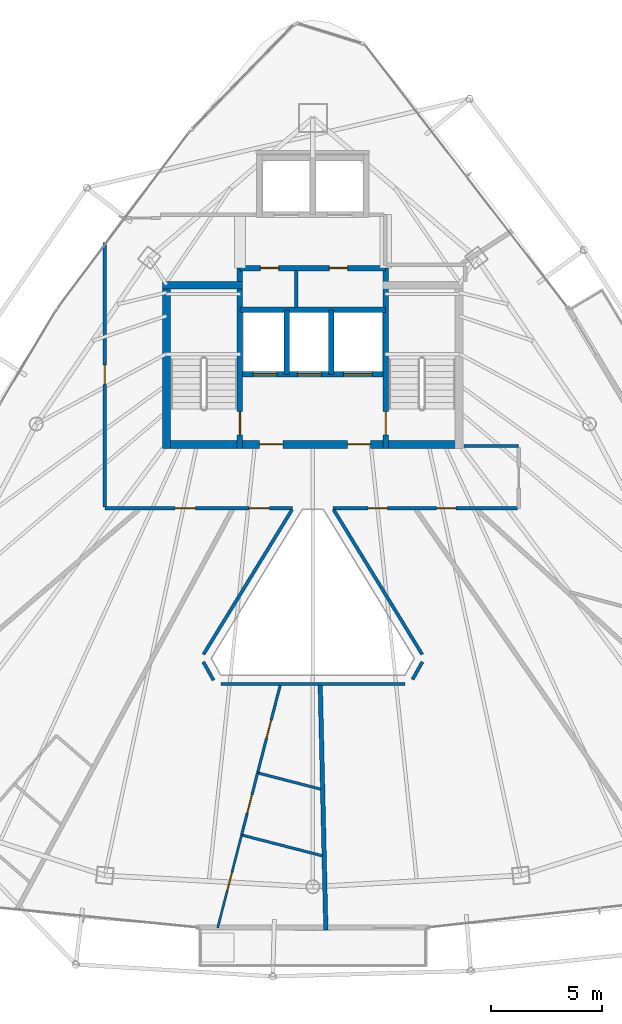
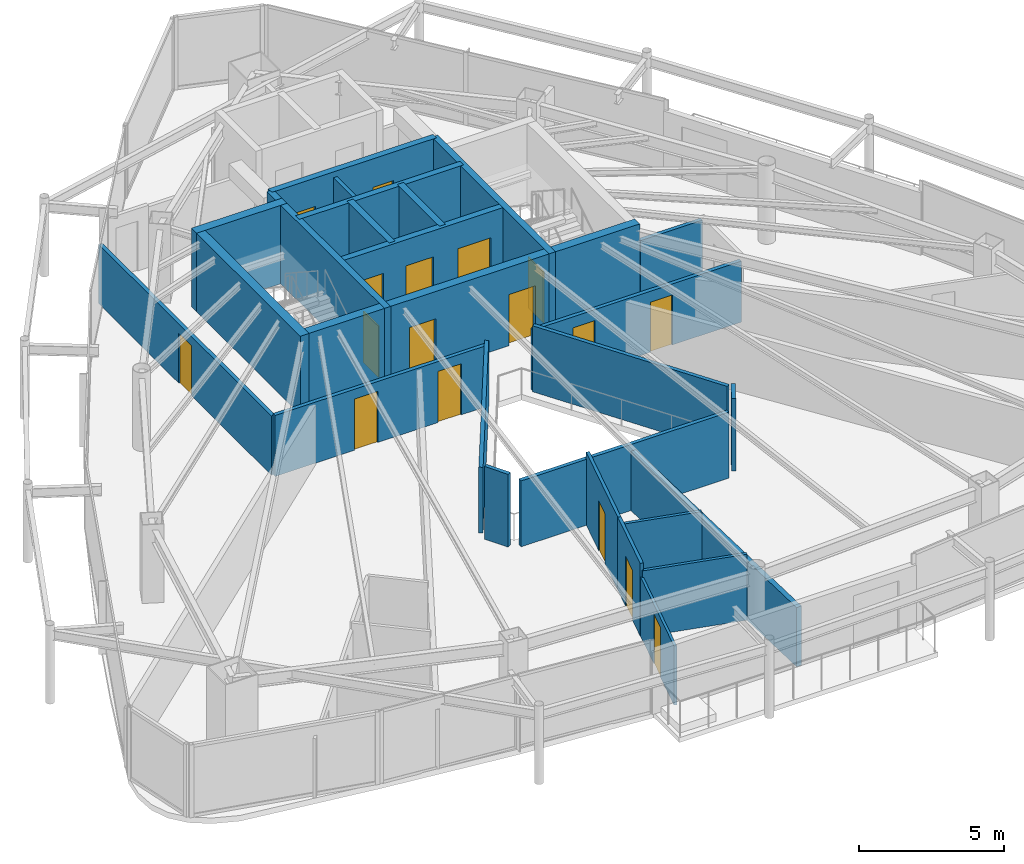
# One storey, part 26 of 30: 26 walls, 17 doors, 17 openings.
"""IFC4 building model written with IfcOpenShell, lengths in metres."""

import ifcopenshell
import ifcopenshell.guid

model = None  # the IFC model being written
_history = None  # IfcOwnerHistory: only IFC2X3 demands one
_inside = {}  # id of a spatial element -> (the spatial element, [elements in it])
_under = {}  # id of a project, library or spatial element -> (it, [spatial elements below it])
_declared = {}  # id of a project -> (the project, [libraries it declares])
_typed = {}  # id of a type object -> (the type object, [elements of that type])
_made_of = {}  # id of a material, layer set ... -> (it, [elements and type objects made of it])


def new_model(schema):
    """Start an empty IFC model of exactly this schema.

    Asked for "IFC4X3", IfcOpenShell would pick the latest addendum, in which some entities
    have other attributes; the version numbers below select the first issue.
    IFC2X3 requires an IfcOwnerHistory on every rooted entity: one is made here for all.
    """
    global model, _history
    if schema == "IFC4X3":
        model = ifcopenshell.file(schema_version=(4, 3, 0, 0))
    else:
        model = ifcopenshell.file(schema=schema)
    _inside.clear()
    _under.clear()
    _declared.clear()
    _typed.clear()
    _made_of.clear()
    _history = None
    if model.schema == "IFC2X3":
        org = make("IfcOrganization", Name="unknown")
        user = make(
            "IfcPersonAndOrganization",
            ThePerson=make("IfcPerson", FamilyName="unknown"),
            TheOrganization=org,
        )
        app = make(
            "IfcApplication",
            ApplicationDeveloper=org,
            Version="unknown",
            ApplicationFullName="unknown",
            ApplicationIdentifier="unknown",
        )
        _history = make(
            "IfcOwnerHistory",
            OwningUser=user,
            OwningApplication=app,
            ChangeAction="ADDED",
            CreationDate=0,
        )
    return model


def make(cls, **values):
    """One entity of the class cls with the attributes given. An attribute that is None is left unset."""
    return model.create_entity(
        cls, **{name: value for name, value in values.items() if value is not None}
    )


def rooted(cls, **values):
    """An entity with a GlobalId (a new one), such as an element, a storey or a relation."""
    return make(cls, GlobalId=ifcopenshell.guid.new(), OwnerHistory=_history, **values)


def si_unit(unit_type, name, prefix=None):
    """IfcSIUnit, for example si_unit("LENGTHUNIT", "METRE", prefix="MILLI")."""
    return make("IfcSIUnit", UnitType=unit_type, Prefix=prefix, Name=name)


def assignment(units):
    """IfcUnitAssignment: the units of a project."""
    return None if units is None else make("IfcUnitAssignment", Units=units)


def point(xyz):
    """IfcCartesianPoint."""
    return None if xyz is None else make("IfcCartesianPoint", Coordinates=xyz)


def direction(xyz):
    """IfcDirection."""
    return None if xyz is None else make("IfcDirection", DirectionRatios=xyz)


def frame(location, z_axis=None, x_axis=None):
    """IfcAxis2Placement3D, a coordinate frame: its origin and axes. An axis left out is left unset."""
    return make(
        "IfcAxis2Placement3D",
        Location=point(location),
        Axis=direction(z_axis),
        RefDirection=direction(x_axis),
    )


def frame_2d(location, x_axis=None):
    """IfcAxis2Placement2D, a coordinate frame in the plane: its origin and x axis."""
    return make(
        "IfcAxis2Placement2D", Location=point(location), RefDirection=direction(x_axis)
    )


def origin():
    """The frame at (0, 0, 0) with its axes left unset."""
    return frame((0.0, 0.0, 0.0))


def place(relative_to, where):
    """IfcLocalPlacement: puts the frame where relative to a parent placement (None: the world)."""
    return make(
        "IfcLocalPlacement", PlacementRelTo=relative_to, RelativePlacement=where
    )


def context(
    kind, dimensions, precision=None, world=None, true_north=None, identifier=None
):
    """IfcGeometricRepresentationContext, for example the 3D "Model" context."""
    return make(
        "IfcGeometricRepresentationContext",
        ContextIdentifier=identifier,
        ContextType=kind,
        CoordinateSpaceDimension=dimensions,
        Precision=precision,
        WorldCoordinateSystem=world,
        TrueNorth=true_north,
    )


def subcontext(parent, identifier, kind, view, scale=None):
    """IfcGeometricRepresentationSubContext, for example "Body" below "Model"."""
    return make(
        "IfcGeometricRepresentationSubContext",
        ContextIdentifier=identifier,
        ContextType=kind,
        ParentContext=parent,
        TargetScale=scale,
        TargetView=view,
    )


def project(units=None, contexts=None):
    """IfcProject with its units and contexts."""
    return rooted(
        "IfcProject",
        Name="project",
        RepresentationContexts=contexts,
        UnitsInContext=assignment(units),
    )


def spatial(cls, under=None, at=None, **own):
    """A site, building, storey or space (cls), placed at a placement, below another one or the project."""
    s = rooted(cls, ObjectPlacement=at, **own)
    if under is not None:
        _under.setdefault(under.id(), (under, []))[1].append(s)
    return s


def profile(cls, at=None, kind="AREA", **sizes):
    """A parametric profile (cls). Its sizes go by their IFC names, for example OverallWidth=200.0."""
    return make(cls, ProfileType=kind, Position=at, **sizes)


def rectangle(**sizes):
    """IfcRectangleProfileDef."""
    return profile("IfcRectangleProfileDef", **sizes)


def extrude(swept, where, along, depth):
    """IfcExtrudedAreaSolid: the profile swept, set in the frame where, extruded along a direction by depth."""
    return make(
        "IfcExtrudedAreaSolid",
        SweptArea=swept,
        Position=where,
        ExtrudedDirection=direction(along),
        Depth=depth,
    )


def shape(context_of_items, identifier, shape_type, items):
    """IfcShapeRepresentation: the items that make up one representation, for example the "Body"."""
    return make(
        "IfcShapeRepresentation",
        ContextOfItems=context_of_items,
        RepresentationIdentifier=identifier,
        RepresentationType=shape_type,
        Items=items,
    )


def material(Name=None, Category=None):
    """IfcMaterial."""
    return make("IfcMaterial", Name=Name, Category=Category)


def layer(
    of_material, thickness, ventilated=None, Name=None, Category=None, Priority=None
):
    """IfcMaterialLayer: one layer of a wall or slab, of a material (None: an air gap)."""
    return make(
        "IfcMaterialLayer",
        Material=of_material,
        LayerThickness=thickness,
        IsVentilated=ventilated,
        Name=Name,
        Category=Category,
        Priority=Priority,
    )


def layer_set(layers, Name=None):
    """IfcMaterialLayerSet."""
    return make("IfcMaterialLayerSet", MaterialLayers=layers, LayerSetName=Name)


def made_of(thing, what):
    """Note that an element or type object is made of a material, layer set ...; save() writes the relation."""
    if what is not None:
        _made_of.setdefault(what.id(), (what, []))[1].append(thing)
    return thing


def type_object(cls, material=None, **own):
    """A type object (cls), such as IfcWallType, which elements share."""
    return made_of(rooted(cls, **own), material)


def element(
    cls,
    number,
    at=None,
    inside=None,
    cuts=None,
    type_object=None,
    material=None,
    context=None,
    identifier="Body",
    shape_type=None,
    held_by="IfcProductDefinitionShape",
    body=None,
    shapes=None,
    **own,
):
    """One element of the class cls, such as IfcWall. Its Tag is "e" and its number.

    at: its placement. inside: the storey or other place that contains it. cuts: it is an
    opening in that element (IfcRelVoidsElement). A single representation is given by context,
    identifier, shape_type and body (its items); several are given by shapes. held_by: the class
    of the entity that holds the representations. save() writes the other relations.
    """
    e = rooted(cls, Tag="e%d" % number, ObjectPlacement=at, **own)
    if body is not None:
        shapes = [shape(context, identifier, shape_type, body)]
    if shapes is not None:
        e.Representation = make(held_by, Representations=shapes)
    if inside is not None:
        _inside.setdefault(inside.id(), (inside, []))[1].append(e)
    if cuts is not None:
        rooted(
            "IfcRelVoidsElement", RelatingBuildingElement=cuts, RelatedOpeningElement=e
        )
    if type_object is not None:
        _typed.setdefault(type_object.id(), (type_object, []))[1].append(e)
    return made_of(e, material)


def fill(opening, filler):
    """IfcRelFillsElement: the door or window that sits in an opening."""
    return rooted(
        "IfcRelFillsElement",
        RelatingOpeningElement=opening,
        RelatedBuildingElement=filler,
    )


def aggregate(whole, parts):
    """IfcRelAggregates: a whole, such as a stair, and the parts it consists of."""
    return rooted("IfcRelAggregates", RelatingObject=whole, RelatedObjects=parts)


def save(model, path):
    """Write the relations noted so far, then the file.

    IfcRelAggregates (storeys below a building ...), IfcRelContainedInSpatialStructure (elements
    in a storey), IfcRelDefinesByType, IfcRelAssociatesMaterial and IfcRelDeclares: one each for
    every whole, place, type object, material and project.
    """
    for whole, parts in _under.values():
        aggregate(whole, parts)
    for where, things in _inside.values():
        rooted(
            "IfcRelContainedInSpatialStructure",
            RelatedElements=things,
            RelatingStructure=where,
        )
    for kind, things in _typed.values():
        rooted("IfcRelDefinesByType", RelatedObjects=things, RelatingType=kind)
    for what, things in _made_of.values():
        rooted("IfcRelAssociatesMaterial", RelatedObjects=things, RelatingMaterial=what)
    for by, libraries in _declared.values():
        rooted("IfcRelDeclares", RelatingContext=by, RelatedDefinitions=libraries)
    model.write(path)


model = new_model("IFC4")

# Units and contexts
model_context = context("Model", 3, precision=1e-05, world=origin(), true_north=direction((0.0, 1.0)))
body_context = subcontext(model_context, "Body", "Model", "MODEL_VIEW")
ifc_project = project(units=[si_unit("LENGTHUNIT", "METRE"), si_unit("AREAUNIT", "SQUARE_METRE"), si_unit("VOLUMEUNIT", "CUBIC_METRE"), si_unit("PLANEANGLEUNIT", "RADIAN"), si_unit("MASSUNIT", "GRAM", prefix="KILO")], contexts=[model_context])

# Site, building, storey
site_placement = place(None, origin())
site = spatial("IfcSite", under=ifc_project, at=site_placement, CompositionType="ELEMENT")
building_placement = place(site_placement, origin())
building = spatial("IfcBuilding", under=site, at=building_placement, Name="Orvanel Arch Residences", CompositionType="ELEMENT")
storey_placement = place(building_placement, frame((0.0, 0.0, 229.39990234375)))
storey = spatial("IfcBuildingStorey", under=building, at=storey_placement, Name="L65", CompositionType="ELEMENT", Elevation=229.39990234375)

# Wall, opening, door
ifc_material_1 = material(Name="Concrete N50 (50 MPa)", Category="concrete")
ifc_layer_1 = layer(ifc_material_1, 0.25)
ifc_layer_set_1 = layer_set([ifc_layer_1], Name="Concrete N50 (50 MPa)")
wall_type_1 = type_object("IfcWallType", Name="SW-CORE-250", PredefinedType="SHEAR", material=ifc_layer_set_1)
wall_1_placement = place(storey_placement, frame((29.72509765625, 26.550048828125, 0.0), z_axis=(0.0, 0.0, 1.0), x_axis=(0.0, 1.0, 0.0)))
wall_1 = element("IfcWall", 1, at=wall_1_placement, inside=storey, type_object=wall_type_1, Name="L65 West Inner Core Spine Shear Wall", PredefinedType="SHEAR", context=body_context, shape_type="SweptSolid", body=[
    extrude(rectangle(XDim=8.099853515625, YDim=0.25, at=frame_2d((4.0498046875, 0.0))), origin(), (0.0, 0.0, 1.0), 3.300048828125),
])
opening_1_placement = place(wall_1_placement, frame((0.60009765625, 0.0, 0.0)))
opening_1 = element("IfcOpeningElement", 2, at=opening_1_placement, cuts=wall_1, Name="Opening DF-120", PredefinedType="OPENING", context=body_context, shape_type="SweptSolid", body=[
    extrude(rectangle(XDim=1.050048828125, YDim=2.14990234375, at=frame_2d((0.52490234375, 1.074951171875))), frame((0.0, 0.135009765625, 0.0), z_axis=(0.0, -1.0, 0.0), x_axis=(1.0, 0.0, 0.0)), (0.0, 0.0, 1.0), 0.27001953125),
])
ifc_material_2 = material(Name="Galvanised steel fire-resisting door assembly", Category="steel")
door_type_1 = type_object("IfcDoorType", Name="DR-FD120-1050", OperationType="NOTDEFINED", PredefinedType="DOOR", material=ifc_material_2)
door_1_placement = place(opening_1_placement, origin())
door_1 = element("IfcDoor", 3, at=door_1_placement, inside=storey, type_object=door_type_1, Name="DR-L65-ST1 L65 Stair 1 Fire Door", OperationType="SINGLE_SWING_LEFT", OverallHeight=2.14990234375, OverallWidth=1.050048828125, PredefinedType="DOOR", context=body_context, shape_type="SweptSolid", body=[
    extrude(rectangle(XDim=1.050048828125, YDim=2.14990234375, at=frame_2d((0.52490234375, 1.074951171875))), frame((0.0, 0.02490234375, 0.0), z_axis=(0.0, -1.0, 0.0), x_axis=(1.0, 0.0, 0.0)), (0.0, 0.0, 1.0), 0.050048828125),
])
fill(opening_1, door_1)

wall_2_placement = place(storey_placement, frame((36.27490234375, 26.550048828125, 0.0), z_axis=(0.0, 0.0, 1.0), x_axis=(0.0, 1.0, 0.0)))
wall_2 = element("IfcWall", 4, at=wall_2_placement, inside=storey, type_object=wall_type_1, Name="L65 East Inner Core Spine Shear Wall", PredefinedType="SHEAR", context=body_context, shape_type="SweptSolid", body=[
    extrude(rectangle(XDim=8.099853515625, YDim=0.25, at=frame_2d((4.0498046875, 0.0))), origin(), (0.0, 0.0, 1.0), 3.300048828125),
])
opening_2_placement = place(wall_2_placement, frame((0.60009765625, 0.0, 0.0)))
opening_2 = element("IfcOpeningElement", 5, at=opening_2_placement, cuts=wall_2, Name="Opening DF-120", PredefinedType="OPENING", context=body_context, shape_type="SweptSolid", body=[
    extrude(rectangle(XDim=1.050048828125, YDim=2.14990234375, at=frame_2d((0.52490234375, 1.074951171875))), frame((0.0, 0.135009765625, 0.0), z_axis=(0.0, -1.0, 0.0), x_axis=(1.0, 0.0, 0.0)), (0.0, 0.0, 1.0), 0.27001953125),
])
door_2_placement = place(opening_2_placement, origin())
door_2 = element("IfcDoor", 6, at=door_2_placement, inside=storey, type_object=door_type_1, Name="DR-L65-ST2 L65 Stair 2 Fire Door", OperationType="SINGLE_SWING_RIGHT", OverallHeight=2.14990234375, OverallWidth=1.050048828125, PredefinedType="DOOR", context=body_context, shape_type="SweptSolid", body=[
    extrude(rectangle(XDim=1.050048828125, YDim=2.14990234375, at=frame_2d((0.52490234375, 1.074951171875))), frame((0.0, 0.02490234375, 0.0), z_axis=(0.0, -1.0, 0.0), x_axis=(1.0, 0.0, 0.0)), (0.0, 0.0, 1.0), 0.050048828125),
])
fill(opening_2, door_2)

# Wall, openings, doors
wall_3_placement = place(storey_placement, frame((36.27490234375, 29.875, 0.0), z_axis=(0.0, 0.0, 1.0), x_axis=(-1.0, 0.0, 0.0)))
wall_3 = element("IfcWall", 7, at=wall_3_placement, inside=storey, type_object=wall_type_1, Name="L65 Emergency Lift Front Core Shear Wall", PredefinedType="SHEAR", context=body_context, shape_type="SweptSolid", body=[
    extrude(rectangle(XDim=6.5498046875, YDim=0.25, at=frame_2d((3.27490234375, 0.0))), origin(), (0.0, 0.0, 1.0), 3.300048828125),
])
opening_3_placement = place(wall_3_placement, frame((4.875, 0.0, 0.0)))
opening_3 = element("IfcOpeningElement", 8, at=opening_3_placement, cuts=wall_3, Name="Opening LD-110", PredefinedType="OPENING", context=body_context, shape_type="SweptSolid", body=[
    extrude(rectangle(XDim=1.10009765625, YDim=2.199951171875, at=frame_2d((0.550048828125, 1.10009765625))), frame((0.0, 0.135009765625, 0.0), z_axis=(0.0, -1.0, 0.0), x_axis=(1.0, 0.0, 0.0)), (0.0, 0.0, 1.0), 0.27001953125),
])
opening_4_placement = place(wall_3_placement, frame((2.875, 0.0, 0.0)))
opening_4 = element("IfcOpeningElement", 9, at=opening_4_placement, cuts=wall_3, Name="Opening LD-110", PredefinedType="OPENING", context=body_context, shape_type="SweptSolid", body=[
    extrude(rectangle(XDim=1.10009765625, YDim=2.199951171875, at=frame_2d((0.550048828125, 1.10009765625))), frame((0.0, 0.135009765625, 0.0), z_axis=(0.0, -1.0, 0.0), x_axis=(1.0, 0.0, 0.0)), (0.0, 0.0, 1.0), 0.27001953125),
])
opening_5_placement = place(wall_3_placement, frame((0.60009765625, 0.0, 0.0)))
opening_5 = element("IfcOpeningElement", 10, at=opening_5_placement, cuts=wall_3, Name="Opening LD-130", PredefinedType="OPENING", context=body_context, shape_type="SweptSolid", body=[
    extrude(rectangle(XDim=1.300048828125, YDim=2.199951171875, at=frame_2d((0.64990234375, 1.10009765625))), frame((0.0, 0.135009765625, 0.0), z_axis=(0.0, -1.0, 0.0), x_axis=(1.0, 0.0, 0.0)), (0.0, 0.0, 1.0), 0.27001953125),
])
door_type_2 = type_object("IfcDoorType", Name="DR-LFT-1100", OperationType="NOTDEFINED", PredefinedType="DOOR", material=ifc_material_2)
door_3_placement = place(opening_3_placement, origin())
door_3 = element("IfcDoor", 11, at=door_3_placement, inside=storey, type_object=door_type_2, Name="LD-F1-L65 L65 Lift F1 Sliding Landing Door", OperationType="DOUBLE_DOOR_SLIDING", OverallHeight=2.199951171875, OverallWidth=1.10009765625, PredefinedType="DOOR", context=body_context, shape_type="SweptSolid", body=[
    extrude(rectangle(XDim=1.10009765625, YDim=2.199951171875, at=frame_2d((0.550048828125, 1.10009765625))), frame((0.0, 0.02490234375, 0.0), z_axis=(0.0, -1.0, 0.0), x_axis=(1.0, 0.0, 0.0)), (0.0, 0.0, 1.0), 0.050048828125),
])
fill(opening_3, door_3)
door_4_placement = place(opening_4_placement, origin())
door_4 = element("IfcDoor", 12, at=door_4_placement, inside=storey, type_object=door_type_2, Name="LD-F2-L65 L65 Lift F2 Sliding Landing Door", OperationType="DOUBLE_DOOR_SLIDING", OverallHeight=2.199951171875, OverallWidth=1.10009765625, PredefinedType="DOOR", context=body_context, shape_type="SweptSolid", body=[
    extrude(rectangle(XDim=1.10009765625, YDim=2.199951171875, at=frame_2d((0.550048828125, 1.10009765625))), frame((0.0, 0.02490234375, 0.0), z_axis=(0.0, -1.0, 0.0), x_axis=(1.0, 0.0, 0.0)), (0.0, 0.0, 1.0), 0.050048828125),
])
fill(opening_4, door_4)
door_type_3 = type_object("IfcDoorType", Name="DR-LFT-1300", OperationType="NOTDEFINED", PredefinedType="DOOR", material=ifc_material_2)
door_5_placement = place(opening_5_placement, origin())
door_5 = element("IfcDoor", 13, at=door_5_placement, inside=storey, type_object=door_type_3, Name="LD-G1-L65 L65 Lift G1 Sliding Landing Door", OperationType="DOUBLE_DOOR_SLIDING", OverallHeight=2.199951171875, OverallWidth=1.300048828125, PredefinedType="DOOR", context=body_context, shape_type="SweptSolid", body=[
    extrude(rectangle(XDim=1.300048828125, YDim=2.199951171875, at=frame_2d((0.64990234375, 1.10009765625))), frame((0.0, 0.02490234375, 0.0), z_axis=(0.0, -1.0, 0.0), x_axis=(1.0, 0.0, 0.0)), (0.0, 0.0, 1.0), 0.050048828125),
])
fill(opening_5, door_5)

# Walls
wall_4_placement = place(storey_placement, frame((29.72509765625, 32.77490234375, 0.0), z_axis=(0.0, 0.0, 1.0), x_axis=(1.0, 0.0, 0.0)))
element("IfcWall", 14, at=wall_4_placement, inside=storey, type_object=wall_type_1, Name="L65 Emergency Lift Back Core Shear Wall", PredefinedType="SHEAR", context=body_context, shape_type="SweptSolid", body=[
    extrude(rectangle(XDim=6.5498046875, YDim=0.25, at=frame_2d((3.27490234375, 0.0))), origin(), (0.0, 0.0, 1.0), 3.300048828125),
])
for number, where, z_axis, x_axis, name in (
    (15, (31.824951171875, 29.875, 0.0), (0.0, 0.0, 1.0), (0.0, 1.0, 0.0), "L65 Emergency Lift Inter-Shaft Wall F12"),
    (16, (33.824951171875, 29.875, 0.0), (0.0, 0.0, 1.0), (0.0, 1.0, 0.0), "L65 Emergency Lift Inter-Shaft Wall F2G"),
):
    element("IfcWall", number, at=place(storey_placement, frame(where, z_axis=z_axis, x_axis=x_axis)), inside=storey, type_object=wall_type_1, Name=name, PredefinedType="SHEAR", context=body_context, shape_type="SweptSolid", body=[
        extrude(rectangle(XDim=2.89990234375, YDim=0.25, at=frame_2d((1.449951171875, 0.0))), origin(), (0.0, 0.0, 1.0), 3.300048828125),
    ])

# Wall, openings, doors
wall_5_placement = place(storey_placement, frame((29.72509765625, 34.64990234375, 0.0), z_axis=(0.0, 0.0, 1.0), x_axis=(1.0, 0.0, 0.0)))
wall_5 = element("IfcWall", 17, at=wall_5_placement, inside=storey, type_object=wall_type_1, Name="L65 Core Service Band North Shear Wall", PredefinedType="SHEAR", context=body_context, shape_type="SweptSolid", body=[
    extrude(rectangle(XDim=6.5498046875, YDim=0.25, at=frame_2d((3.27490234375, 0.0))), origin(), (0.0, 0.0, 1.0), 3.300048828125),
])
opening_6_placement = place(wall_5_placement, frame((0.9150390625, 0.0, 0.0)))
opening_6 = element("IfcOpeningElement", 18, at=opening_6_placement, cuts=wall_5, Name="Opening DS-082", PredefinedType="OPENING", context=body_context, shape_type="SweptSolid", body=[
    extrude(rectangle(XDim=0.820068359375, YDim=2.10009765625, at=frame_2d((0.41015625, 1.050048828125))), frame((0.0, 0.135009765625, 0.0), z_axis=(0.0, -1.0, 0.0), x_axis=(1.0, 0.0, 0.0)), (0.0, 0.0, 1.0), 0.27001953125),
])
opening_7_placement = place(wall_5_placement, frame((4.014892578125, 0.0, 0.0)))
opening_7 = element("IfcOpeningElement", 19, at=opening_7_placement, cuts=wall_5, Name="Opening DW-082", PredefinedType="OPENING", context=body_context, shape_type="SweptSolid", body=[
    extrude(rectangle(XDim=0.820068359375, YDim=2.10009765625, at=frame_2d((0.41015625, 1.050048828125))), frame((0.0, 0.135009765625, 0.0), z_axis=(0.0, -1.0, 0.0), x_axis=(1.0, 0.0, 0.0)), (0.0, 0.0, 1.0), 0.27001953125),
])
door_type_4 = type_object("IfcDoorType", Name="DR-SVC-820", OperationType="NOTDEFINED", PredefinedType="DOOR", material=ifc_material_2)
door_6_placement = place(opening_6_placement, origin())
door_6 = element("IfcDoor", 20, at=door_6_placement, inside=storey, type_object=door_type_4, Name="DR-L65-CSVC-1 L65 Floor Cleaner's Store Door", OperationType="SINGLE_SWING_LEFT", OverallHeight=2.10009765625, OverallWidth=0.820068359375, PredefinedType="DOOR", context=body_context, shape_type="SweptSolid", body=[
    extrude(rectangle(XDim=0.820068359375, YDim=2.10009765625, at=frame_2d((0.41015625, 1.050048828125))), frame((0.0, 0.02490234375, 0.0), z_axis=(0.0, -1.0, 0.0), x_axis=(1.0, 0.0, 0.0)), (0.0, 0.0, 1.0), 0.050048828125),
])
fill(opening_6, door_6)
ifc_material_3 = material(Name="Solid-core European oak veneer fire door leaf", Category="wood")
door_type_5 = type_object("IfcDoorType", Name="DR-WET-820", OperationType="NOTDEFINED", PredefinedType="DOOR", material=ifc_material_3)
door_7_placement = place(opening_7_placement, origin())
door_7 = element("IfcDoor", 21, at=door_7_placement, inside=storey, type_object=door_type_5, Name="DR-L65-CSVC-2 L65 Core Accessible WC Door", OperationType="SINGLE_SWING_LEFT", OverallHeight=2.10009765625, OverallWidth=0.820068359375, PredefinedType="DOOR", context=body_context, shape_type="SweptSolid", body=[
    extrude(rectangle(XDim=0.820068359375, YDim=2.10009765625, at=frame_2d((0.41015625, 1.050048828125))), frame((0.0, 0.02490234375, 0.0), z_axis=(0.0, -1.0, 0.0), x_axis=(1.0, 0.0, 0.0)), (0.0, 0.0, 1.0), 0.050048828125),
])
fill(opening_7, door_7)

ifc_layer_2 = layer(ifc_material_1, 0.35009765625)
ifc_layer_set_2 = layer_set([ifc_layer_2], Name="Concrete N50 (50 MPa)")
wall_type_2 = type_object("IfcWallType", Name="SW-CORE-350", PredefinedType="SHEAR", material=ifc_layer_set_2)
wall_6_placement = place(storey_placement, frame((26.25, 26.72509765625, 0.0), z_axis=(0.0, 0.0, 1.0), x_axis=(1.0, 0.0, 0.0)))
wall_6 = element("IfcWall", 22, at=wall_6_placement, inside=storey, type_object=wall_type_2, Name="L65 South Core Shear Wall", PredefinedType="SHEAR", context=body_context, shape_type="SweptSolid", body=[
    extrude(rectangle(XDim=13.5, YDim=0.35009765625, at=frame_2d((6.75, 0.0))), origin(), (0.0, 0.0, 1.0), 3.300048828125),
])
opening_8_placement = place(wall_6_placement, frame((4.35009765625, 0.0, 0.0)))
opening_8 = element("IfcOpeningElement", 23, at=opening_8_placement, cuts=wall_6, Name="Opening DF-060", PredefinedType="OPENING", context=body_context, shape_type="SweptSolid", body=[
    extrude(rectangle(XDim=1.050048828125, YDim=2.14990234375, at=frame_2d((0.52490234375, 1.074951171875))), frame((0.0, 0.18505859375, 0.0), z_axis=(0.0, -1.0, 0.0), x_axis=(1.0, 0.0, 0.0)), (0.0, 0.0, 1.0), 0.3701171875),
])
opening_9_placement = place(wall_6_placement, frame((8.300048828125, 0.0, 0.0)))
opening_9 = element("IfcOpeningElement", 24, at=opening_9_placement, cuts=wall_6, Name="Opening DF-060", PredefinedType="OPENING", context=body_context, shape_type="SweptSolid", body=[
    extrude(rectangle(XDim=1.050048828125, YDim=2.14990234375, at=frame_2d((0.52490234375, 1.074951171875))), frame((0.0, 0.18505859375, 0.0), z_axis=(0.0, -1.0, 0.0), x_axis=(1.0, 0.0, 0.0)), (0.0, 0.0, 1.0), 0.3701171875),
])
door_type_6 = type_object("IfcDoorType", Name="DR-FD60-1050", OperationType="NOTDEFINED", PredefinedType="DOOR", material=ifc_material_2)
door_8_placement = place(opening_8_placement, origin())
door_8 = element("IfcDoor", 25, at=door_8_placement, inside=storey, type_object=door_type_6, Name="DR-L65-FFL-W L65 West Smoke Lobby Door", OperationType="SINGLE_SWING_LEFT", OverallHeight=2.14990234375, OverallWidth=1.050048828125, PredefinedType="DOOR", context=body_context, shape_type="SweptSolid", body=[
    extrude(rectangle(XDim=1.050048828125, YDim=2.14990234375, at=frame_2d((0.52490234375, 1.074951171875))), frame((0.0, 0.02490234375, 0.0), z_axis=(0.0, -1.0, 0.0), x_axis=(1.0, 0.0, 0.0)), (0.0, 0.0, 1.0), 0.050048828125),
])
fill(opening_8, door_8)
door_9_placement = place(opening_9_placement, origin())
door_9 = element("IfcDoor", 26, at=door_9_placement, inside=storey, type_object=door_type_6, Name="DR-L65-FFL-E L65 East Smoke Lobby Door", OperationType="SINGLE_SWING_RIGHT", OverallHeight=2.14990234375, OverallWidth=1.050048828125, PredefinedType="DOOR", context=body_context, shape_type="SweptSolid", body=[
    extrude(rectangle(XDim=1.050048828125, YDim=2.14990234375, at=frame_2d((0.52490234375, 1.074951171875))), frame((0.0, 0.02490234375, 0.0), z_axis=(0.0, -1.0, 0.0), x_axis=(1.0, 0.0, 0.0)), (0.0, 0.0, 1.0), 0.050048828125),
])
fill(opening_9, door_9)

# Walls
wall_7_placement = place(storey_placement, frame((26.425048828125, 26.550048828125, 0.0), z_axis=(0.0, 0.0, 1.0), x_axis=(0.0, 1.0, 0.0)))
element("IfcWall", 27, at=wall_7_placement, inside=storey, type_object=wall_type_2, Name="L65 West Stair Shear Wall", PredefinedType="SHEAR", context=body_context, shape_type="SweptSolid", body=[
    extrude(rectangle(XDim=7.5, YDim=0.35009765625, at=frame_2d((3.75, 0.0))), origin(), (0.0, 0.0, 1.0), 3.300048828125),
])
wall_8_placement = place(storey_placement, frame((26.25, 33.875, 0.0), z_axis=(0.0, 0.0, 1.0), x_axis=(1.0, 0.0, 0.0)))
element("IfcWall", 28, at=wall_8_placement, inside=storey, type_object=wall_type_2, Name="L65 West Stair North Shear Wall", PredefinedType="SHEAR", context=body_context, shape_type="SweptSolid", body=[
    extrude(rectangle(XDim=3.60009765625, YDim=0.35009765625, at=frame_2d((1.800048828125, 0.0))), origin(), (0.0, 0.0, 1.0), 3.300048828125),
])

# Wall, openings, doors
ifc_material_4 = material(Name="Fire-rated plasterboard lined steel stud partition", Category="steel")
ifc_layer_3 = layer(ifc_material_4, 0.14990234375)
ifc_layer_set_3 = layer_set([ifc_layer_3], Name="Fire-rated plasterboard lined steel stud partition")
wall_type_3 = type_object("IfcWallType", Name="W-COR-150", PredefinedType="PARTITIONING", material=ifc_layer_set_3)
wall_9_placement = place(storey_placement, frame((32.095947265625, 23.85009765625, 0.0), z_axis=(0.0, 0.0, 1.0), x_axis=(-1.0, 0.0, 0.0)))
wall_9 = element("IfcWall", 29, at=wall_9_placement, inside=storey, type_object=wall_type_3, Name="L65 Corridor Fire-Rated Partition", PredefinedType="PARTITIONING", context=body_context, shape_type="SweptSolid", body=[
    extrude(rectangle(XDim=8.446044921875, YDim=0.14990234375, at=frame_2d((4.22314453125, 0.0))), origin(), (0.0, 0.0, 1.0), 2.565185546875),
])
opening_10_placement = place(wall_9_placement, frame((4.364990234375, 0.0, 0.0)))
opening_10 = element("IfcOpeningElement", 30, at=opening_10_placement, cuts=wall_9, Name="Opening DA-092", PredefinedType="OPENING", context=body_context, shape_type="SweptSolid", body=[
    extrude(rectangle(XDim=0.919921875, YDim=2.14990234375, at=frame_2d((0.4599609375, 1.074951171875))), frame((0.0, 0.0849609375, 0.0), z_axis=(0.0, -1.0, 0.0), x_axis=(1.0, 0.0, 0.0)), (0.0, 0.0, 1.0), 0.169921875),
])
opening_11_placement = place(wall_9_placement, frame((1.044921875, 0.0, 0.0)))
opening_11 = element("IfcOpeningElement", 31, at=opening_11_placement, cuts=wall_9, Name="Opening DA-092", PredefinedType="OPENING", context=body_context, shape_type="SweptSolid", body=[
    extrude(rectangle(XDim=0.919921875, YDim=2.14990234375, at=frame_2d((0.4599609375, 1.074951171875))), frame((0.0, 0.0849609375, 0.0), z_axis=(0.0, -1.0, 0.0), x_axis=(1.0, 0.0, 0.0)), (0.0, 0.0, 1.0), 0.169921875),
])
door_type_7 = type_object("IfcDoorType", Name="DR-APT-920", OperationType="NOTDEFINED", PredefinedType="DOOR", material=ifc_material_3)
door_10_placement = place(opening_10_placement, origin())
door_10 = element("IfcDoor", 32, at=door_10_placement, inside=storey, type_object=door_type_7, Name="DR-L65-B-ENT L65 Studio B Entrance Door", OperationType="SINGLE_SWING_LEFT", OverallHeight=2.14990234375, OverallWidth=0.919921875, PredefinedType="DOOR", context=body_context, shape_type="SweptSolid", body=[
    extrude(rectangle(XDim=0.919921875, YDim=2.14990234375, at=frame_2d((0.4599609375, 1.074951171875))), frame((0.0, 0.02490234375, 0.0), z_axis=(0.0, -1.0, 0.0), x_axis=(1.0, 0.0, 0.0)), (0.0, 0.0, 1.0), 0.050048828125),
])
fill(opening_10, door_10)
door_11_placement = place(opening_11_placement, origin())
door_11 = element("IfcDoor", 33, at=door_11_placement, inside=storey, type_object=door_type_7, Name="DR-L65-D-ENT L65 Studio D Entrance Door", OperationType="SINGLE_SWING_LEFT", OverallHeight=2.14990234375, OverallWidth=0.919921875, PredefinedType="DOOR", context=body_context, shape_type="SweptSolid", body=[
    extrude(rectangle(XDim=0.919921875, YDim=2.14990234375, at=frame_2d((0.4599609375, 1.074951171875))), frame((0.0, 0.02490234375, 0.0), z_axis=(0.0, -1.0, 0.0), x_axis=(1.0, 0.0, 0.0)), (0.0, 0.0, 1.0), 0.050048828125),
])
fill(opening_11, door_11)

# Wall, opening, door
wall_10_placement = place(storey_placement, frame((23.64990234375, 23.909912109375, 0.0), z_axis=(0.0, 0.0, 1.0), x_axis=(0.0, 1.0, 0.0)))
wall_10 = element("IfcWall", 34, at=wall_10_placement, inside=storey, type_object=wall_type_3, Name="L65 Corridor Fire-Rated Partition", PredefinedType="PARTITIONING", context=body_context, shape_type="SweptSolid", body=[
    extrude(rectangle(XDim=11.88818359375, YDim=0.14990234375, at=frame_2d((5.944091796875, 0.0))), origin(), (0.0, 0.0, 1.0), 2.4921875),
])
opening_12_placement = place(wall_10_placement, frame((5.50390625, 0.0, 0.0)))
opening_12 = element("IfcOpeningElement", 35, at=opening_12_placement, cuts=wall_10, Name="Opening DI-088", PredefinedType="OPENING", context=body_context, shape_type="SweptSolid", body=[
    extrude(rectangle(XDim=0.8798828125, YDim=2.10009765625, at=frame_2d((0.43994140625, 1.050048828125))), frame((0.0, 0.0849609375, 0.0), z_axis=(0.0, -1.0, 0.0), x_axis=(1.0, 0.0, 0.0)), (0.0, 0.0, 1.0), 0.169921875),
])
door_type_8 = type_object("IfcDoorType", Name="DR-INT-880", OperationType="NOTDEFINED", PredefinedType="DOOR", material=ifc_material_3)
door_12_placement = place(opening_12_placement, origin())
door_12 = element("IfcDoor", 36, at=door_12_placement, inside=storey, type_object=door_type_8, Name="DR-L65-SHRD-FB5 L65 Co-Working Study Office E Door", OperationType="SINGLE_SWING_LEFT", OverallHeight=2.10009765625, OverallWidth=0.8798828125, PredefinedType="DOOR", context=body_context, shape_type="SweptSolid", body=[
    extrude(rectangle(XDim=0.8798828125, YDim=2.10009765625, at=frame_2d((0.43994140625, 1.050048828125))), frame((0.0, 0.02490234375, 0.0), z_axis=(0.0, -1.0, 0.0), x_axis=(1.0, 0.0, 0.0)), (0.0, 0.0, 1.0), 0.050048828125),
])
fill(opening_12, door_12)

# Wall
wall_11_placement = place(storey_placement, frame((39.7900390625, 26.64990234375, 0.0), z_axis=(0.0, 0.0, 1.0), x_axis=(1.0, 0.0, 0.0)))
element("IfcWall", 37, at=wall_11_placement, inside=storey, type_object=wall_type_3, Name="L65 Corridor Fire-Rated Partition", PredefinedType="PARTITIONING", context=body_context, shape_type="SweptSolid", body=[
    extrude(rectangle(XDim=2.4599609375, YDim=0.14990234375, at=frame_2d((1.22998046875, 0.0))), origin(), (0.0, 0.0, 1.0), 2.565185546875),
])

# Wall, openings, doors
wall_12_placement = place(storey_placement, frame((42.18994140625, 23.85009765625, 0.0), z_axis=(0.0, 0.0, 1.0), x_axis=(-1.0, 0.0, 0.0)))
wall_12 = element("IfcWall", 38, at=wall_12_placement, inside=storey, type_object=wall_type_3, Name="L65 Corridor Fire-Rated Partition", PredefinedType="PARTITIONING", context=body_context, shape_type="SweptSolid", body=[
    extrude(rectangle(XDim=8.285888671875, YDim=0.14990234375, at=frame_2d((4.14306640625, 0.0))), origin(), (0.0, 0.0, 1.0), 2.565185546875),
])
opening_13_placement = place(wall_12_placement, frame((5.823974609375, 0.0, 0.0)))
opening_13 = element("IfcOpeningElement", 39, at=opening_13_placement, cuts=wall_12, Name="Opening DI-088", PredefinedType="OPENING", context=body_context, shape_type="SweptSolid", body=[
    extrude(rectangle(XDim=0.8798828125, YDim=2.10009765625, at=frame_2d((0.43994140625, 1.050048828125))), frame((0.0, 0.0849609375, 0.0), z_axis=(0.0, -1.0, 0.0), x_axis=(1.0, 0.0, 0.0)), (0.0, 0.0, 1.0), 0.169921875),
])
opening_14_placement = place(wall_12_placement, frame((2.7451171875, 0.0, 0.0)))
opening_14 = element("IfcOpeningElement", 40, at=opening_14_placement, cuts=wall_12, Name="Opening DI-088", PredefinedType="OPENING", context=body_context, shape_type="SweptSolid", body=[
    extrude(rectangle(XDim=0.8798828125, YDim=2.10009765625, at=frame_2d((0.43994140625, 1.050048828125))), frame((0.0, 0.0849609375, 0.0), z_axis=(0.0, -1.0, 0.0), x_axis=(1.0, 0.0, 0.0)), (0.0, 0.0, 1.0), 0.169921875),
])
door_13_placement = place(opening_13_placement, origin())
door_13 = element("IfcDoor", 41, at=door_13_placement, inside=storey, type_object=door_type_8, Name="DR-L65-SHRD-FB1 L65 Co-Working Study Office A Door", OperationType="SINGLE_SWING_LEFT", OverallHeight=2.10009765625, OverallWidth=0.8798828125, PredefinedType="DOOR", context=body_context, shape_type="SweptSolid", body=[
    extrude(rectangle(XDim=0.8798828125, YDim=2.10009765625, at=frame_2d((0.43994140625, 1.050048828125))), frame((0.0, 0.02490234375, 0.0), z_axis=(0.0, -1.0, 0.0), x_axis=(1.0, 0.0, 0.0)), (0.0, 0.0, 1.0), 0.050048828125),
])
fill(opening_13, door_13)
door_14_placement = place(opening_14_placement, origin())
door_14 = element("IfcDoor", 42, at=door_14_placement, inside=storey, type_object=door_type_8, Name="DR-L65-SHRD-FB6 L65 Co-Working Study Office F Door", OperationType="SINGLE_SWING_LEFT", OverallHeight=2.10009765625, OverallWidth=0.8798828125, PredefinedType="DOOR", context=body_context, shape_type="SweptSolid", body=[
    extrude(rectangle(XDim=0.8798828125, YDim=2.10009765625, at=frame_2d((0.43994140625, 1.050048828125))), frame((0.0, 0.02490234375, 0.0), z_axis=(0.0, -1.0, 0.0), x_axis=(1.0, 0.0, 0.0)), (0.0, 0.0, 1.0), 0.050048828125),
])
fill(opening_14, door_14)

# Walls
wall_13_placement = place(storey_placement, frame((33.93505859375, 23.7900390625, 0.0), z_axis=(0.0, 0.0, 1.0), x_axis=(0.521984684225, -0.852954857794, 0.0)))
element("IfcWall", 43, at=wall_13_placement, inside=storey, type_object=wall_type_3, Name="L65 Atrium Overlook Glazed Partition", PredefinedType="PARTITIONING", context=body_context, shape_type="SweptSolid", body=[
    extrude(rectangle(XDim=7.62646484375, YDim=0.14990234375, at=frame_2d((3.813232421875, 0.0))), origin(), (0.0, 0.0, 1.0), 2.773193359375),
])
wall_14_placement = place(storey_placement, frame((37.922119140625, 16.948974609375, 0.0), z_axis=(0.0, 0.0, 1.0), x_axis=(-0.48754316559, -0.873098884255, 0.0)))
element("IfcWall", 44, at=wall_14_placement, inside=storey, type_object=wall_type_3, Name="L65 Atrium Overlook Glazed Partition", PredefinedType="PARTITIONING", context=body_context, shape_type="SweptSolid", body=[
    extrude(rectangle(XDim=0.90478515625, YDim=0.14990234375, at=frame_2d((0.452392578125, 0.0))), origin(), (0.0, 0.0, 1.0), 3.06005859375),
])
wall_15_placement = place(storey_placement, frame((37.132080078125, 15.955078125, 0.0), z_axis=(0.0, 0.0, 1.0), x_axis=(-1.0, 0.0, 0.0)))
element("IfcWall", 45, at=wall_15_placement, inside=storey, type_object=wall_type_3, Name="L65 Atrium Overlook Glazed Partition", PredefinedType="PARTITIONING", context=body_context, shape_type="SweptSolid", body=[
    extrude(rectangle(XDim=8.26416015625, YDim=0.14990234375, at=frame_2d((4.132080078125, 0.0))), origin(), (0.0, 0.0, 1.0), 2.773193359375),
])
wall_16_placement = place(storey_placement, frame((28.5390625, 16.1259765625, 0.0), z_axis=(0.0, 0.0, 1.0), x_axis=(-0.488847636641, 0.87236918111, 0.0)))
element("IfcWall", 46, at=wall_16_placement, inside=storey, type_object=wall_type_3, Name="L65 Atrium Overlook Glazed Partition", PredefinedType="PARTITIONING", context=body_context, shape_type="SweptSolid", body=[
    extrude(rectangle(XDim=0.943359375, YDim=0.14990234375, at=frame_2d((0.4716796875, 0.0))), origin(), (0.0, 0.0, 1.0), 3.06005859375),
])
wall_17_placement = place(storey_placement, frame((28.083984375, 17.284912109375, 0.0), z_axis=(0.0, 0.0, 1.0), x_axis=(0.521984684225, 0.852954857794, 0.0)))
element("IfcWall", 47, at=wall_17_placement, inside=storey, type_object=wall_type_3, Name="L65 Atrium Overlook Glazed Partition", PredefinedType="PARTITIONING", context=body_context, shape_type="SweptSolid", body=[
    extrude(rectangle(XDim=7.62646484375, YDim=0.14990234375, at=frame_2d((3.813232421875, 0.0))), origin(), (0.0, 0.0, 1.0), 2.773193359375),
])
ifc_layer_4 = layer(ifc_material_4, 0.199951171875)
ifc_layer_set_4 = layer_set([ifc_layer_4], Name="Fire-rated plasterboard lined steel stud partition")
wall_type_4 = type_object("IfcWallType", Name="W-DEM-200", PredefinedType="PARTITIONING", material=ifc_layer_set_4)
wall_18_placement = place(storey_placement, frame((33.5849609375, 4.89892578125, 0.0), z_axis=(0.0, 0.0, 1.0), x_axis=(-0.022818213595, 0.999739630668, 0.0)))
element("IfcWall", 48, at=wall_18_placement, inside=storey, type_object=wall_type_4, Name="L65 Inter-Tenancy Acoustic Demising Wall", PredefinedType="PARTITIONING", context=body_context, shape_type="SweptSolid", body=[
    extrude(rectangle(XDim=10.9990234375, YDim=0.199951171875, at=frame_2d((5.49951171875, 0.0))), origin(), (0.0, 0.0, 1.0), 2.4921875),
])

# Wall, opening, door
ifc_material_5 = material(Name="Acoustic plasterboard lined twin-stud partition", Category="gypsum")
ifc_layer_5 = layer(ifc_material_5, 0.10009765625)
ifc_layer_set_5 = layer_set([ifc_layer_5], Name="Acoustic plasterboard lined twin-stud partition")
wall_type_5 = type_object("IfcWallType", Name="W-INT-100", PredefinedType="PARTITIONING", material=ifc_layer_set_5)
wall_19_placement = place(storey_placement, frame((29.799072265625, 9.1708984375, 0.0), z_axis=(0.0, 0.0, 1.0), x_axis=(-0.249680784234, -0.968328201585, 0.0)))
wall_19 = element("IfcWall", 49, at=wall_19_placement, inside=storey, type_object=wall_type_5, Name="L65 Studio D Internal Partition", PredefinedType="PARTITIONING", context=body_context, shape_type="SweptSolid", body=[
    extrude(rectangle(XDim=4.305419921875, YDim=0.10009765625, at=frame_2d((2.15283203125, 0.0))), origin(), (0.0, 0.0, 1.0), 2.4921875),
])
opening_15_placement = place(wall_19_placement, frame((1.712890625, 0.0, 0.0)))
opening_15 = element("IfcOpeningElement", 50, at=opening_15_placement, cuts=wall_19, Name="Opening DI-088", PredefinedType="OPENING", context=body_context, shape_type="SweptSolid", body=[
    extrude(rectangle(XDim=0.8798828125, YDim=2.10009765625, at=frame_2d((0.43994140625, 1.050048828125))), frame((0.0, 0.06005859375, 0.0), z_axis=(0.0, -1.0, 0.0), x_axis=(1.0, 0.0, 0.0)), (0.0, 0.0, 1.0), 0.1201171875),
])
door_15_placement = place(opening_15_placement, origin())
door_15 = element("IfcDoor", 51, at=door_15_placement, inside=storey, type_object=door_type_8, Name="DR-L65-D-OFC1 L65 Studio D Home Work Office 2 Door", OperationType="SINGLE_SWING_LEFT", OverallHeight=2.10009765625, OverallWidth=0.8798828125, PredefinedType="DOOR", context=body_context, shape_type="SweptSolid", body=[
    extrude(rectangle(XDim=0.8798828125, YDim=2.10009765625, at=frame_2d((0.43994140625, 1.050048828125))), frame((0.0, 0.02490234375, 0.0), z_axis=(0.0, -1.0, 0.0), x_axis=(1.0, 0.0, 0.0)), (0.0, 0.0, 1.0), 0.050048828125),
])
fill(opening_15, door_15)

# Wall
ifc_layer_6 = layer(ifc_material_4, 0.14990234375)
ifc_layer_set_6 = layer_set([ifc_layer_6], Name="Fire-rated plasterboard lined steel stud partition")
wall_type_6 = type_object("IfcWallType", Name="W-ST-150", PredefinedType="PARTITIONING", material=ifc_layer_set_6)
wall_20_placement = place(storey_placement, frame((32.25, 32.885009765625, 0.0), z_axis=(0.0, 0.0, 1.0), x_axis=(0.0, 1.0, 0.0)))
element("IfcWall", 52, at=wall_20_placement, inside=storey, type_object=wall_type_6, Name="L65 Core Service Partition 1", PredefinedType="PARTITIONING", context=body_context, shape_type="SweptSolid", body=[
    extrude(rectangle(XDim=1.655029296875, YDim=0.14990234375, at=frame_2d((0.82763671875, 0.0))), origin(), (0.0, 0.0, 1.0), 3.06005859375),
])

# Wall, opening, door
ifc_layer_7 = layer(ifc_material_5, 0.1201171875)
ifc_layer_set_7 = layer_set([ifc_layer_7], Name="Acoustic plasterboard lined twin-stud partition")
wall_type_7 = type_object("IfcWallType", Name="W-WET-120", PredefinedType="PARTITIONING", material=ifc_layer_set_7)
wall_21_placement = place(storey_placement, frame((31.531982421875, 15.89501953125, 0.0), z_axis=(0.0, 0.0, 1.0), x_axis=(-0.24968708983, -0.968326575682, 0.0)))
wall_21 = element("IfcWall", 53, at=wall_21_placement, inside=storey, type_object=wall_type_7, Name="L65 Studio D Bathroom Partition", PredefinedType="PARTITIONING", context=body_context, shape_type="SweptSolid", body=[
    extrude(rectangle(XDim=4.060791015625, YDim=0.1201171875, at=frame_2d((2.0302734375, 0.0))), origin(), (0.0, 0.0, 1.0), 3.06005859375),
])
opening_16_placement = place(wall_21_placement, frame((1.6201171875, 0.0, 0.0)))
opening_16 = element("IfcOpeningElement", 54, at=opening_16_placement, cuts=wall_21, Name="Opening DW-082", PredefinedType="OPENING", context=body_context, shape_type="SweptSolid", body=[
    extrude(rectangle(XDim=0.820068359375, YDim=2.10009765625, at=frame_2d((0.41015625, 1.050048828125))), frame((0.0, 0.070068359375, 0.0), z_axis=(0.0, -1.0, 0.0), x_axis=(1.0, 0.0, 0.0)), (0.0, 0.0, 1.0), 0.14013671875),
])
door_16_placement = place(opening_16_placement, origin())
door_16 = element("IfcDoor", 55, at=door_16_placement, inside=storey, type_object=door_type_5, Name="DR-L65-D-BATH L65 Studio D Bathroom Door", OperationType="SINGLE_SWING_RIGHT", OverallHeight=2.10009765625, OverallWidth=0.820068359375, PredefinedType="DOOR", context=body_context, shape_type="SweptSolid", body=[
    extrude(rectangle(XDim=0.820068359375, YDim=2.10009765625, at=frame_2d((0.41015625, 1.050048828125))), frame((0.0, 0.02490234375, 0.0), z_axis=(0.0, -1.0, 0.0), x_axis=(1.0, 0.0, 0.0)), (0.0, 0.0, 1.0), 0.050048828125),
])
fill(opening_16, door_16)

wall_22_placement = place(storey_placement, frame((30.51806640625, 11.962890625, 0.0), z_axis=(0.0, 0.0, 1.0), x_axis=(-0.249383700926, -0.968404755106, 0.0)))
wall_22 = element("IfcWall", 56, at=wall_22_placement, inside=storey, type_object=wall_type_7, Name="L65 Studio D Internal Partition", PredefinedType="PARTITIONING", context=body_context, shape_type="SweptSolid", body=[
    extrude(rectangle(XDim=2.883056640625, YDim=0.1201171875, at=frame_2d((1.44140625, 0.0))), origin(), (0.0, 0.0, 1.0), 3.06005859375),
])
opening_17_placement = place(wall_22_placement, frame((1.001953125, 0.0, 0.0)))
opening_17 = element("IfcOpeningElement", 57, at=opening_17_placement, cuts=wall_22, Name="Opening DI-088", PredefinedType="OPENING", context=body_context, shape_type="SweptSolid", body=[
    extrude(rectangle(XDim=0.8798828125, YDim=2.10009765625, at=frame_2d((0.43994140625, 1.050048828125))), frame((0.0, 0.070068359375, 0.0), z_axis=(0.0, -1.0, 0.0), x_axis=(1.0, 0.0, 0.0)), (0.0, 0.0, 1.0), 0.14013671875),
])
door_17_placement = place(opening_17_placement, origin())
door_17 = element("IfcDoor", 58, at=door_17_placement, inside=storey, type_object=door_type_8, Name="DR-L65-D-KIT L65 Studio D Kitchenette Door", OperationType="SINGLE_SWING_LEFT", OverallHeight=2.10009765625, OverallWidth=0.8798828125, PredefinedType="DOOR", context=body_context, shape_type="SweptSolid", body=[
    extrude(rectangle(XDim=0.8798828125, YDim=2.10009765625, at=frame_2d((0.43994140625, 1.050048828125))), frame((0.0, 0.02490234375, 0.0), z_axis=(0.0, -1.0, 0.0), x_axis=(1.0, 0.0, 0.0)), (0.0, 0.0, 1.0), 0.050048828125),
])
fill(opening_17, door_17)

# Walls
wall_23_placement = place(storey_placement, frame((33.35498046875, 11.23095703125, 0.0), z_axis=(0.0, 0.0, 1.0), x_axis=(-0.968291630449, 0.249822573846, 0.0)))
element("IfcWall", 59, at=wall_23_placement, inside=storey, type_object=wall_type_7, Name="L65 Studio D Bathroom Partition", PredefinedType="PARTITIONING", context=body_context, shape_type="SweptSolid", body=[
    extrude(rectangle(XDim=2.929931640625, YDim=0.1201171875, at=frame_2d((1.46484375, 0.0))), origin(), (0.0, 0.0, 1.0), 2.773193359375),
])
wall_24_placement = place(storey_placement, frame((33.424072265625, 8.237060546875, 0.0), z_axis=(0.0, 0.0, 1.0), x_axis=(-0.968383623763, 0.249465743595, 0.0)))
element("IfcWall", 60, at=wall_24_placement, inside=storey, type_object=wall_type_7, Name="L65 Studio D Internal Partition", PredefinedType="PARTITIONING", context=body_context, shape_type="SweptSolid", body=[
    extrude(rectangle(XDim=3.743408203125, YDim=0.1201171875, at=frame_2d((1.87158203125, 0.0))), origin(), (0.0, 0.0, 1.0), 2.773193359375),
])

save(model, "model.ifc")
